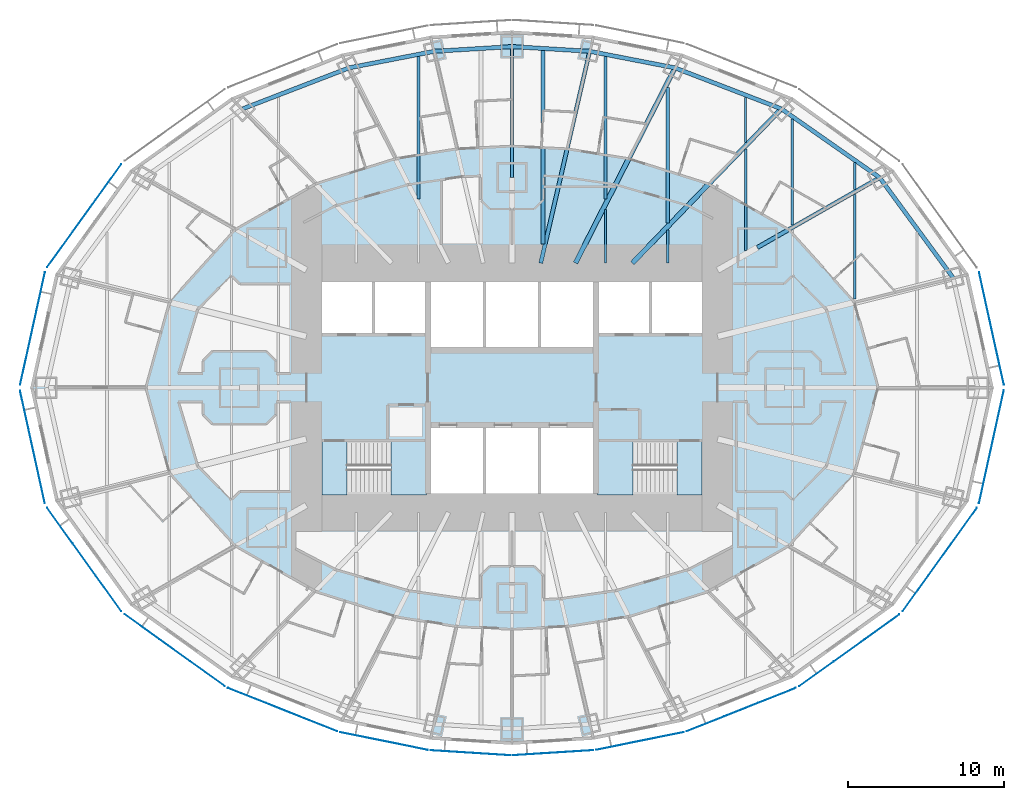
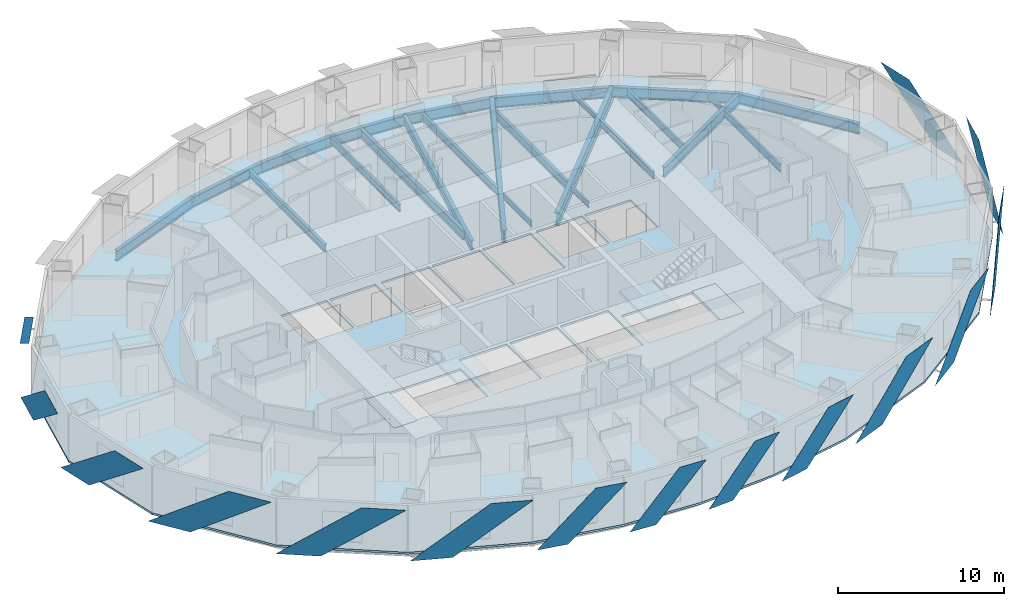
# One storey, part 3 of 17: 24 beams, 15 plates, 5 slabs, 2 elements without a shape of their own.
"""IFC4 building model written with IfcOpenShell, lengths in metres."""

from ifc_helpers import new_model, si_unit, direction, frame, origin, origin_2d, place, context, subcontext, project, spatial, polyline, i_section, outline, extrude, material, layer, layer_set, material_profile, profile_set, type_object, element, aggregate, save


model = new_model("IFC4")

# Units and contexts
model_context = context("Model", 3, precision=1e-05, world=origin(), true_north=direction((0.0, 1.0)))
body_context = subcontext(model_context, "Body", "Model", "MODEL_VIEW")
ifc_project = project(units=[si_unit("LENGTHUNIT", "METRE"), si_unit("AREAUNIT", "SQUARE_METRE"), si_unit("VOLUMEUNIT", "CUBIC_METRE"), si_unit("PLANEANGLEUNIT", "RADIAN"), si_unit("MASSUNIT", "GRAM", prefix="KILO")], contexts=[model_context])

# Site, building, storey
site_placement = place(None, origin())
site = spatial("IfcSite", under=ifc_project, at=site_placement, CompositionType="ELEMENT")
building_placement = place(site_placement, origin())
building = spatial("IfcBuilding", under=site, at=building_placement, Name="Lantaw Convention Tower", CompositionType="ELEMENT")
storey_placement = place(building_placement, frame((0.0, 0.0, 40.60009765625)))
storey = spatial("IfcBuildingStorey", under=building, at=storey_placement, Name="L07", CompositionType="ELEMENT", Elevation=40.60009765625)

# Beams
ifc_material_1 = material(Name="Steel ASTM A992", Category="steel")
ifc_material_profile_1 = material_profile(ifc_material_1, i_section(OverallWidth=0.2666015625, OverallDepth=0.76953125, WebThickness=0.015625, FlangeThickness=0.025390625, FilletRadius=0.0126953125, at=origin_2d()), Name="W30X132")
ifc_profile_set_1 = profile_set([ifc_material_profile_1], Name="Steel ASTM A992")
beam_type_1 = type_object("IfcBeamType", Name="Beam E W30X132", PredefinedType="SPANDREL", material=ifc_profile_set_1)
beam_1_placement = place(storey_placement, frame((28.31787109375, 7.060302734375, -0.534912109375), z_axis=(-0.591270709086, 0.806473154281, 0.0), x_axis=(-0.806473154281, -0.591270709086, 0.0)))
element("IfcBeam", 1, at=beam_1_placement, inside=storey, type_object=beam_type_1, Name="Edge beam 2", PredefinedType="SPANDREL", context=body_context, shape_type="SweptSolid", body=[
    extrude(i_section(OverallWidth=0.2666015625, OverallDepth=0.76953125, WebThickness=0.015625, FlangeThickness=0.025390625, FilletRadius=0.0126953125, at=origin_2d()), origin(), (0.0, 0.0, 1.0), 7.970703125),
])
beam_2_placement = place(storey_placement, frame((23.60498046875, 13.488525390625, -0.534912109375), z_axis=(-0.81942686407, 0.57318375277, 0.0), x_axis=(-0.57318375277, -0.81942686407, 0.0)))
element("IfcBeam", 2, at=beam_2_placement, inside=storey, type_object=beam_type_1, Name="Edge beam 3", PredefinedType="SPANDREL", context=body_context, shape_type="SweptSolid", body=[
    extrude(i_section(OverallWidth=0.2666015625, OverallDepth=0.76953125, WebThickness=0.015625, FlangeThickness=0.025390625, FilletRadius=0.0126953125, at=origin_2d()), origin(), (0.0, 0.0, 1.0), 7.70556640625),
])
beam_3_placement = place(storey_placement, frame((17.290771484375, 17.9052734375, -0.534912109375), z_axis=(-0.933232900641, 0.359271976588, 0.0), x_axis=(-0.359271976588, -0.933232900641, 0.0)))
element("IfcBeam", 3, at=beam_3_placement, inside=storey, type_object=beam_type_1, Name="Edge beam 4", PredefinedType="SPANDREL", context=body_context, shape_type="SweptSolid", body=[
    extrude(i_section(OverallWidth=0.2666015625, OverallDepth=0.76953125, WebThickness=0.015625, FlangeThickness=0.025390625, FilletRadius=0.0126953125, at=origin_2d()), origin(), (0.0, 0.0, 1.0), 7.316650390625),
])
beam_4_placement = place(storey_placement, frame((10.462646484375, 20.533935546875, -0.534912109375), z_axis=(-0.981636565323, 0.190760723474, 0.0), x_axis=(-0.190760723474, -0.981636565323, 0.0)))
element("IfcBeam", 4, at=beam_4_placement, inside=storey, type_object=beam_type_1, Name="Edge beam 5", PredefinedType="SPANDREL", context=body_context, shape_type="SweptSolid", body=[
    extrude(i_section(OverallWidth=0.2666015625, OverallDepth=0.76953125, WebThickness=0.015625, FlangeThickness=0.025390625, FilletRadius=0.0126953125, at=origin_2d()), origin(), (0.0, 0.0, 1.0), 5.578857421875),
])
for number, where, z_axis, x_axis, name in (
    (5, (4.986328125, 21.59814453125, -0.534912109375), (-0.998173858406, 0.060406526096, 0.0), (-0.060406526096, -0.998173858406, 0.0), "Edge beam 6"),
    (6, (0.0, 21.89990234375, -0.534912109375), (-0.998173858406, -0.060406526096, 0.0), (0.060406526096, -0.998173858406, 0.0), "Edge beam 7"),
):
    element("IfcBeam", number, at=place(storey_placement, frame(where, z_axis=z_axis, x_axis=x_axis)), inside=storey, type_object=beam_type_1, Name=name, PredefinedType="SPANDREL", context=body_context, shape_type="SweptSolid", body=[
        extrude(i_section(OverallWidth=0.2666015625, OverallDepth=0.76953125, WebThickness=0.015625, FlangeThickness=0.025390625, FilletRadius=0.0126953125, at=origin_2d()), origin(), (0.0, 0.0, 1.0), 4.995361328125),
    ])
beam_5_placement = place(storey_placement, frame((-4.986328125, 21.59814453125, -0.534912109375), z_axis=(-0.981636565323, -0.190760723474, 0.0), x_axis=(0.190760723474, -0.981636565323, 0.0)))
element("IfcBeam", 7, at=beam_5_placement, inside=storey, type_object=beam_type_1, Name="Edge beam 8", PredefinedType="SPANDREL", context=body_context, shape_type="SweptSolid", body=[
    extrude(i_section(OverallWidth=0.2666015625, OverallDepth=0.76953125, WebThickness=0.015625, FlangeThickness=0.025390625, FilletRadius=0.0126953125, at=origin_2d()), origin(), (0.0, 0.0, 1.0), 5.578857421875),
])
beam_6_placement = place(storey_placement, frame((-10.462646484375, 20.533935546875, -0.534912109375), z_axis=(-0.933232900641, -0.359271976588, 0.0), x_axis=(0.359271976588, -0.933232900641, 0.0)))
element("IfcBeam", 8, at=beam_6_placement, inside=storey, type_object=beam_type_1, Name="Edge beam 9", PredefinedType="SPANDREL", context=body_context, shape_type="SweptSolid", body=[
    extrude(i_section(OverallWidth=0.2666015625, OverallDepth=0.76953125, WebThickness=0.015625, FlangeThickness=0.025390625, FilletRadius=0.0126953125, at=origin_2d()), origin(), (0.0, 0.0, 1.0), 7.316650390625),
])
ifc_material_profile_2 = material_profile(ifc_material_1, i_section(OverallWidth=0.1650390625, OverallDepth=0.52587890625, WebThickness=0.0087890625, FlangeThickness=0.011474609375, FilletRadius=0.0126953125, at=origin_2d()), Name="W21X44")
ifc_profile_set_2 = profile_set([ifc_material_profile_2], Name="Steel ASTM A992")
beam_type_2 = type_object("IfcBeamType", Name="Beam G W21X44", PredefinedType="BEAM", material=ifc_profile_set_2)
beam_7_placement = place(storey_placement, frame((0.0, 13.5, -0.4130859375), z_axis=(0.0, 1.0, 0.0), x_axis=(-1.0, 0.0, 0.0)))
element("IfcBeam", 9, at=beam_7_placement, inside=storey, type_object=beam_type_2, Name="Floor girder on ray 7", PredefinedType="BEAM", context=body_context, shape_type="SweptSolid", body=[
    extrude(i_section(OverallWidth=0.1650390625, OverallDepth=0.52587890625, WebThickness=0.0087890625, FlangeThickness=0.011474609375, FilletRadius=0.0126953125, at=origin_2d()), origin(), (0.0, 0.0, 1.0), 8.39990234375),
])
ifc_material_profile_3 = material_profile(ifc_material_1, i_section(OverallWidth=0.25390625, OverallDepth=0.683349609375, WebThickness=0.012451171875, FlangeThickness=0.01904296875, FilletRadius=0.01513671875, at=origin_2d()), Name="W27X94")
ifc_profile_set_3 = profile_set([ifc_material_profile_3], Name="Steel ASTM A992")
beam_type_3 = type_object("IfcBeamType", Name="Beam G W27X94", PredefinedType="BEAM", material=ifc_profile_set_3)
beam_8_placement = place(storey_placement, frame((1.846923828125, 8.0, -0.49169921875), z_axis=(0.224952773175, 0.97436966796, 0.0), x_axis=(-0.97436966796, 0.224952773175, 0.0)))
element("IfcBeam", 10, at=beam_8_placement, inside=storey, type_object=beam_type_3, Name="Floor girder on ray 6", PredefinedType="BEAM", context=body_context, shape_type="SweptSolid", body=[
    extrude(i_section(OverallWidth=0.25390625, OverallDepth=0.683349609375, WebThickness=0.012451171875, FlangeThickness=0.01904296875, FilletRadius=0.01513671875, at=origin_2d()), origin(), (0.0, 0.0, 1.0), 13.955810546875),
])
ifc_material_profile_4 = material_profile(ifc_material_1, i_section(OverallWidth=0.2666015625, OverallDepth=0.7568359375, WebThickness=0.013916015625, FlangeThickness=0.019287109375, FilletRadius=0.0126953125, at=origin_2d()), Name="W30X108")
ifc_profile_set_4 = profile_set([ifc_material_profile_4], Name="Steel ASTM A992")
beam_type_4 = type_object("IfcBeamType", Name="Beam G W30X108", PredefinedType="BEAM", material=ifc_profile_set_4)
beam_9_placement = place(storey_placement, frame((15.75, 9.0, -0.528564453125), z_axis=(0.868244802791, 0.496136032179, 0.0), x_axis=(-0.496136032179, 0.868244802791, 0.0)))
element("IfcBeam", 11, at=beam_9_placement, inside=storey, type_object=beam_type_4, Name="Floor girder on ray 3", PredefinedType="BEAM", context=body_context, shape_type="SweptSolid", body=[
    extrude(i_section(OverallWidth=0.2666015625, OverallDepth=0.7568359375, WebThickness=0.013916015625, FlangeThickness=0.019287109375, FilletRadius=0.0126953125, at=origin_2d()), origin(), (0.0, 0.0, 1.0), 9.046875),
])
ifc_material_profile_5 = material_profile(ifc_material_1, i_section(OverallWidth=0.307373046875, OverallDepth=0.922119140625, WebThickness=0.018310546875, FlangeThickness=0.030029296875, FilletRadius=0.0126953125, at=origin_2d()), Name="W36X182")
ifc_profile_set_5 = profile_set([ifc_material_profile_5], Name="Steel ASTM A992")
beam_type_5 = type_object("IfcBeamType", Name="Beam G W36X182", PredefinedType="BEAM", material=ifc_profile_set_5)
beam_10_placement = place(storey_placement, frame((7.7255859375, 8.0, -0.611083984375), z_axis=(0.694649884291, 0.719347995239, 0.0), x_axis=(-0.719347995239, 0.694649884291, 0.0)))
element("IfcBeam", 12, at=beam_10_placement, inside=storey, type_object=beam_type_5, Name="Floor girder on ray 4", PredefinedType="BEAM", context=body_context, shape_type="SweptSolid", body=[
    extrude(i_section(OverallWidth=0.307373046875, OverallDepth=0.922119140625, WebThickness=0.018310546875, FlangeThickness=0.030029296875, FilletRadius=0.0126953125, at=origin_2d()), origin(), (0.0, 0.0, 1.0), 13.769775390625),
])
beam_11_placement = place(storey_placement, frame((4.076171875, 8.0, -0.611083984375), z_axis=(0.453997016122, 0.891003203896, 0.0), x_axis=(-0.891003203896, 0.453997016122, 0.0)))
element("IfcBeam", 13, at=beam_11_placement, inside=storey, type_object=beam_type_5, Name="Floor girder on ray 5", PredefinedType="BEAM", context=body_context, shape_type="SweptSolid", body=[
    extrude(i_section(OverallWidth=0.307373046875, OverallDepth=0.922119140625, WebThickness=0.018310546875, FlangeThickness=0.030029296875, FilletRadius=0.0126953125, at=origin_2d()), origin(), (0.0, 0.0, 1.0), 14.067138671875),
])
ifc_material_profile_6 = material_profile(ifc_material_1, i_section(OverallWidth=0.140380859375, OverallDepth=0.40380859375, WebThickness=0.007080078125, FlangeThickness=0.01123046875, FilletRadius=0.01025390625, at=origin_2d()), Name="W16X31")
ifc_profile_set_6 = profile_set([ifc_material_profile_6], Name="Steel ASTM A992")
beam_type_6 = type_object("IfcBeamType", Name="Beam J W16X31", PredefinedType="JOIST", material=ifc_profile_set_6)
beam_12_placement = place(storey_placement, frame((6.0, 8.0, -0.35205078125), z_axis=(0.0, 1.0, 0.0), x_axis=(-1.0, 0.0, 0.0)))
element("IfcBeam", 14, at=beam_12_placement, inside=storey, type_object=beam_type_6, Name="Floor joist", PredefinedType="JOIST", context=body_context, shape_type="SweptSolid", body=[
    extrude(i_section(OverallWidth=0.140380859375, OverallDepth=0.40380859375, WebThickness=0.007080078125, FlangeThickness=0.01123046875, FilletRadius=0.01025390625, at=origin_2d()), origin(), (0.0, 0.0, 1.0), 3.437255859375),
])
beam_13_placement = place(storey_placement, frame((10.0, 8.0, -0.35205078125), z_axis=(0.0, 1.0, 0.0), x_axis=(-1.0, 0.0, 0.0)))
element("IfcBeam", 15, at=beam_13_placement, inside=storey, type_object=beam_type_6, Name="Floor joist", PredefinedType="JOIST", context=body_context, shape_type="SweptSolid", body=[
    extrude(i_section(OverallWidth=0.140380859375, OverallDepth=0.40380859375, WebThickness=0.007080078125, FlangeThickness=0.01123046875, FilletRadius=0.01025390625, at=origin_2d()), origin(), (0.0, 0.0, 1.0), 2.134033203125),
])
beam_14_placement = place(storey_placement, frame((15.0, 15.754150390625, -0.35205078125), z_axis=(0.0, 1.0, 0.0), x_axis=(-1.0, 0.0, 0.0)))
element("IfcBeam", 16, at=beam_14_placement, inside=storey, type_object=beam_type_6, Name="Floor joist", PredefinedType="JOIST", context=body_context, shape_type="SweptSolid", body=[
    extrude(i_section(OverallWidth=0.140380859375, OverallDepth=0.40380859375, WebThickness=0.007080078125, FlangeThickness=0.01123046875, FilletRadius=0.01025390625, at=origin_2d()), origin(), (0.0, 0.0, 1.0), 2.89013671875),
])
beam_15_placement = place(storey_placement, frame((22.0, 12.72509765625, -0.35205078125), z_axis=(0.0, 1.0, 0.0), x_axis=(-1.0, 0.0, 0.0)))
element("IfcBeam", 17, at=beam_15_placement, inside=storey, type_object=beam_type_6, Name="Floor joist", PredefinedType="JOIST", context=body_context, shape_type="SweptSolid", body=[
    extrude(i_section(OverallWidth=0.140380859375, OverallDepth=0.40380859375, WebThickness=0.007080078125, FlangeThickness=0.01123046875, FilletRadius=0.01025390625, at=origin_2d()), origin(), (0.0, 0.0, 1.0), 1.723388671875),
])
ifc_material_profile_7 = material_profile(ifc_material_1, i_section(OverallWidth=0.1650390625, OverallDepth=0.52587890625, WebThickness=0.0087890625, FlangeThickness=0.011474609375, FilletRadius=0.0126953125, at=origin_2d()), Name="W21X44")
ifc_profile_set_7 = profile_set([ifc_material_profile_7], Name="Steel ASTM A992")
beam_type_7 = type_object("IfcBeamType", Name="Beam J W21X44", PredefinedType="JOIST", material=ifc_profile_set_7)
beam_16_placement = place(storey_placement, frame((15.0, 8.803955078125, -0.4130859375), z_axis=(0.0, 1.0, 0.0), x_axis=(-1.0, 0.0, 0.0)))
element("IfcBeam", 18, at=beam_16_placement, inside=storey, type_object=beam_type_7, Name="Floor joist", PredefinedType="JOIST", context=body_context, shape_type="SweptSolid", body=[
    extrude(i_section(OverallWidth=0.1650390625, OverallDepth=0.52587890625, WebThickness=0.0087890625, FlangeThickness=0.011474609375, FilletRadius=0.0126953125, at=origin_2d()), origin(), (0.0, 0.0, 1.0), 6.5078125),
])
beam_17_placement = place(storey_placement, frame((18.0, 10.439208984375, -0.4130859375), z_axis=(0.0, 1.0, 0.0), x_axis=(-1.0, 0.0, 0.0)))
element("IfcBeam", 19, at=beam_17_placement, inside=storey, type_object=beam_type_7, Name="Floor joist", PredefinedType="JOIST", context=body_context, shape_type="SweptSolid", body=[
    extrude(i_section(OverallWidth=0.1650390625, OverallDepth=0.52587890625, WebThickness=0.0087890625, FlangeThickness=0.011474609375, FilletRadius=0.0126953125, at=origin_2d()), origin(), (0.0, 0.0, 1.0), 6.80712890625),
])
beam_18_placement = place(storey_placement, frame((22.0, 5.693359375, -0.4130859375), z_axis=(0.0, 1.0, 0.0), x_axis=(-1.0, 0.0, 0.0)))
element("IfcBeam", 20, at=beam_18_placement, inside=storey, type_object=beam_type_7, Name="Floor joist", PredefinedType="JOIST", context=body_context, shape_type="SweptSolid", body=[
    extrude(i_section(OverallWidth=0.1650390625, OverallDepth=0.52587890625, WebThickness=0.0087890625, FlangeThickness=0.011474609375, FilletRadius=0.0126953125, at=origin_2d()), origin(), (0.0, 0.0, 1.0), 6.724609375),
])
ifc_material_profile_8 = material_profile(ifc_material_1, i_section(OverallWidth=0.2099609375, OverallDepth=0.535888671875, WebThickness=0.010986328125, FlangeThickness=0.017333984375, FilletRadius=0.012939453125, at=origin_2d()), Name="W21X68")
ifc_profile_set_8 = profile_set([ifc_material_profile_8], Name="Steel ASTM A992")
beam_type_8 = type_object("IfcBeamType", Name="Beam J W21X68", PredefinedType="JOIST", material=ifc_profile_set_8)
for number, where, z_axis, x_axis, name in (
    (21, (-6.0, 12.1142578125, -0.41796875), (0.0, 1.0, 0.0), (-1.0, 0.0, 0.0), "Floor joist"),
    (22, (6.0, 12.1142578125, -0.41796875), (0.0, 1.0, 0.0), (-1.0, 0.0, 0.0), "Floor joist"),
):
    element("IfcBeam", number, at=place(storey_placement, frame(where, z_axis=z_axis, x_axis=x_axis)), inside=storey, type_object=beam_type_8, Name=name, PredefinedType="JOIST", context=body_context, shape_type="SweptSolid", body=[
        extrude(i_section(OverallWidth=0.2099609375, OverallDepth=0.535888671875, WebThickness=0.010986328125, FlangeThickness=0.017333984375, FilletRadius=0.012939453125, at=origin_2d()), origin(), (0.0, 0.0, 1.0), 9.15087890625),
    ])
ifc_material_profile_9 = material_profile(ifc_material_1, i_section(OverallWidth=0.227783203125, OverallDepth=0.60205078125, WebThickness=0.010498046875, FlangeThickness=0.014892578125, FilletRadius=0.012939453125, at=origin_2d()), Name="W24X68")
ifc_profile_set_9 = profile_set([ifc_material_profile_9], Name="Steel ASTM A992")
beam_type_9 = type_object("IfcBeamType", Name="Beam J W24X68", PredefinedType="JOIST", material=ifc_profile_set_9)
beam_19_placement = place(storey_placement, frame((10.0, 10.576416015625, -0.451171875), z_axis=(0.0, 1.0, 0.0), x_axis=(-1.0, 0.0, 0.0)))
element("IfcBeam", 23, at=beam_19_placement, inside=storey, type_object=beam_type_9, Name="Floor joist", PredefinedType="JOIST", context=body_context, shape_type="SweptSolid", body=[
    extrude(i_section(OverallWidth=0.227783203125, OverallDepth=0.60205078125, WebThickness=0.010498046875, FlangeThickness=0.014892578125, FilletRadius=0.012939453125, at=origin_2d()), origin(), (0.0, 0.0, 1.0), 8.711181640625),
])
ifc_material_profile_10 = material_profile(ifc_material_1, i_section(OverallWidth=0.25390625, OverallDepth=0.700927734375, WebThickness=0.015380859375, FlangeThickness=0.02783203125, FilletRadius=0.01513671875, at=origin_2d()), Name="W27X129")
ifc_profile_set_10 = profile_set([ifc_material_profile_10], Name="Steel ASTM A992")
beam_type_10 = type_object("IfcBeamType", Name="Beam J W27X129", PredefinedType="JOIST", material=ifc_profile_set_10)
beam_20_placement = place(storey_placement, frame((2.0, 9.2275390625, -0.500732421875), z_axis=(0.0, 1.0, 0.0), x_axis=(-1.0, 0.0, 0.0)))
element("IfcBeam", 24, at=beam_20_placement, inside=storey, type_object=beam_type_10, Name="Floor joist", PredefinedType="JOIST", context=body_context, shape_type="SweptSolid", body=[
    extrude(i_section(OverallWidth=0.25390625, OverallDepth=0.700927734375, WebThickness=0.015380859375, FlangeThickness=0.02783203125, FilletRadius=0.01513671875, at=origin_2d()), origin(), (0.0, 0.0, 1.0), 12.417724609375),
])

# Slab
ifc_material_2 = material(Name="Concrete C35/45", Category="concrete")
ifc_layer_1 = layer(ifc_material_2, 0.14990234375)
ifc_layer_set_1 = layer_set([ifc_layer_1], Name="Floor slab 150")
slab_type_1 = type_object("IfcSlabType", Name="Floor slab 150", PredefinedType="FLOOR", material=ifc_layer_set_1)
slab_1_placement = place(storey_placement, frame((0.0, 0.0, -0.150146484375)))
element("IfcSlab", 25, at=slab_1_placement, inside=storey, type_object=slab_type_1, Name="L07 floor slab", PredefinedType="FLOOR", context=body_context, shape_type="SweptSolid", body=[
    extrude(outline(polyline([(29.315185546875, -7.29541015625), (30.923095703125, 0.0), (29.315185546875, 7.29541015625), (24.50634765625, 13.98046875), (18.018798828125, 18.630126953125), (10.9404296875, 21.44189453125), (5.223876953125, 22.59521484375), (0.0, 22.9248046875), (-5.223876953125, 22.59521484375), (-10.9404296875, 21.44189453125), (-18.018798828125, 18.630126953125), (-24.50634765625, 13.98046875), (-29.315185546875, 7.29541015625), (-30.923095703125, 0.0), (-29.315185546875, -7.29541015625), (-24.50634765625, -13.98046875), (-18.018798828125, -18.630126953125), (-10.9404296875, -21.44189453125), (-5.223876953125, -22.59521484375), (0.0, -22.9248046875), (5.223876953125, -22.59521484375), (10.9404296875, -21.44189453125), (18.018798828125, -18.630126953125), (24.50634765625, -13.98046875), (29.315185546875, -7.29541015625)]), holes=[polyline([(-5.60009765625, -3.5), (-12.199951171875, -3.5), (-12.199951171875, -6.800048828125), (-5.60009765625, -6.800048828125), (-5.60009765625, -3.5)]), polyline([(-1.86669921875, -6.800048828125), (-1.86669921875, -2.60009765625), (-5.199951171875, -2.60009765625), (-5.199951171875, -6.800048828125), (-1.86669921875, -6.800048828125)]), polyline([(-1.86669921875, 2.60009765625), (-1.86669921875, 6.800048828125), (-5.199951171875, 6.800048828125), (-5.199951171875, 2.60009765625), (-1.86669921875, 2.60009765625)]), polyline([(1.666748046875, 6.800048828125), (-1.666748046875, 6.800048828125), (-1.666748046875, 2.60009765625), (1.666748046875, 2.60009765625), (1.666748046875, 6.800048828125)]), polyline([(-9.0, 3.5), (-9.0, 6.800048828125), (-12.199951171875, 6.800048828125), (-12.199951171875, 3.5), (-9.0, 3.5)]), polyline([(-5.60009765625, 3.5), (-5.60009765625, 6.800048828125), (-8.800048828125, 6.800048828125), (-8.800048828125, 3.5), (-5.60009765625, 3.5)]), polyline([(12.199951171875, -3.5), (5.60009765625, -3.5), (5.60009765625, -6.800048828125), (12.199951171875, -6.800048828125), (12.199951171875, -3.5)]), polyline([(1.666748046875, -6.800048828125), (1.666748046875, -2.60009765625), (-1.666748046875, -2.60009765625), (-1.666748046875, -6.800048828125), (1.666748046875, -6.800048828125)]), polyline([(5.199951171875, -6.800048828125), (5.199951171875, -2.60009765625), (1.86669921875, -2.60009765625), (1.86669921875, -6.800048828125), (5.199951171875, -6.800048828125)]), polyline([(5.199951171875, 6.800048828125), (1.86669921875, 6.800048828125), (1.86669921875, 2.60009765625), (5.199951171875, 2.60009765625), (5.199951171875, 6.800048828125)]), polyline([(8.800048828125, 3.5), (8.800048828125, 6.800048828125), (5.60009765625, 6.800048828125), (5.60009765625, 3.5), (8.800048828125, 3.5)]), polyline([(12.199951171875, 3.5), (12.199951171875, 6.800048828125), (9.0, 6.800048828125), (9.0, 3.5), (12.199951171875, 3.5)])]), origin(), (0.0, 0.0, 1.0), 0.150146484375),
])

# Plates
ifc_material_3 = material(Name="Perforated aluminium sheet, pale silver finish", Category="aluminium")
ifc_layer_2 = layer(ifc_material_3, 0.006103515625)
ifc_layer_set_2 = layer_set([ifc_layer_2], Name="Perforated aluminium solar SCREEN panel")
plate_type = type_object("IfcPlateType", Name="Perforated aluminium solar SCREEN panel", PredefinedType="SHEET", material=ifc_layer_set_2)
plate_1_placement = place(storey_placement, frame((31.5810546875, 0.17919921875, -0.175048828125), z_axis=(-0.97655943558, -0.215247921852, 3.0295023e-05), x_axis=(-0.215247921951, 0.976559436028, 3.12e-10)))
element("IfcPlate", 26, at=plate_1_placement, inside=storey, type_object=plate_type, Name="Solar SCREEN panel", PredefinedType="SHEET", context=body_context, shape_type="SweptSolid", body=[
    extrude(outline(polyline([(0.0, 0.0), (2.551002212329069, 3.3881317890172014e-21), (7.402498252985418, -3.739990233781388), (4.851734458487411, -3.7399902353733405), (0.0, 0.0)])), origin(), (0.0, 0.0, -1.0), 0.006103515625),
])
plate_2_placement = place(storey_placement, frame((-25.0810546875, 14.34765625, -0.175048828125), z_axis=(0.811791382613, -0.583947558463, 9.019268e-06), x_axis=(-0.583947558486, -0.811791382646, 0.0)))
element("IfcPlate", 27, at=plate_2_placement, inside=storey, type_object=plate_type, Name="Solar SCREEN panel", PredefinedType="SHEET", context=body_context, shape_type="SweptSolid", body=[
    extrude(outline(polyline([(0.0, 0.0), (2.809541672291133, 0.0), (8.163093158837512, -3.739990234527119), (5.353551486546379, -3.739990234527119), (0.0, 0.0)])), origin(), (0.0, 0.0, -1.0), 0.006103515625),
])
plate_3_placement = place(storey_placement, frame((-29.98779296875, 7.408203125, -0.175048828125), z_axis=(-0.97655943558, 0.215247921852, 3.0295023e-05), x_axis=(-0.215247921951, -0.976559436028, -3.12e-10)))
element("IfcPlate", 28, at=plate_3_placement, inside=storey, type_object=plate_type, Name="Solar SCREEN panel", PredefinedType="SHEET", context=body_context, shape_type="SweptSolid", body=[
    extrude(outline(polyline([(0.0, 0.0), (2.5507637944980077, 6.776263578034403e-21), (7.402498250651261, 3.7399902384013473), (4.851496038322192, 3.739990236809246), (0.0, 0.0)])), origin(), (0.0, 0.0, -1.0), 0.006103515625),
])
plate_4_placement = place(storey_placement, frame((-31.5810546875, -0.17919921875, -0.175048828125), z_axis=(0.97655943558, 0.215247921852, 3.0295023e-05), x_axis=(0.215247921951, -0.976559436028, 3.12e-10)))
element("IfcPlate", 29, at=plate_4_placement, inside=storey, type_object=plate_type, Name="Solar SCREEN panel", PredefinedType="SHEET", context=body_context, shape_type="SweptSolid", body=[
    extrude(outline(polyline([(0.0, 0.0), (2.551002212329069, 3.3881317890172014e-21), (7.402498252985418, -3.739990233781388), (4.851734458487411, -3.7399902353733405), (0.0, 0.0)])), origin(), (0.0, 0.0, -1.0), 0.006103515625),
])
plate_5_placement = place(storey_placement, frame((-29.847900390625, -7.720947265625, -0.175048828125), z_axis=(-0.811791382613, -0.583947558463, 9.019268e-06), x_axis=(0.583947558486, -0.811791382646, 0.0)))
element("IfcPlate", 30, at=plate_5_placement, inside=storey, type_object=plate_type, Name="Solar SCREEN panel", PredefinedType="SHEET", context=body_context, shape_type="SweptSolid", body=[
    extrude(outline(polyline([(0.0, 0.0), (2.809541672291133, 0.0), (8.163093158837512, 3.739990234527119), (5.353551486546379, 3.739990234527119), (0.0, 0.0)])), origin(), (0.0, 0.0, -1.0), 0.006103515625),
])
plate_6_placement = place(storey_placement, frame((-24.872314453125, -14.555908203125, -0.175048828125), z_axis=(-0.582561421998, -0.812786681331, 1.5819417e-05), x_axis=(0.812786681433, -0.582561422071, 0.0)))
element("IfcPlate", 31, at=plate_6_placement, inside=storey, type_object=plate_type, Name="Solar SCREEN panel", PredefinedType="SHEET", context=body_context, shape_type="SweptSolid", body=[
    extrude(outline(polyline([(0.0, 0.0), (2.721095180812288, 3.3881317890172014e-21), (7.903118572410756, 3.739990234842974), (5.182023391598468, 3.739990234842974), (0.0, 0.0)])), origin(), (0.0, 0.0, -1.0), 0.006103515625),
])
plate_7_placement = place(storey_placement, frame((-18.232177734375, -19.278076171875, -0.175048828125), z_axis=(0.369183532846, 0.929356508016, 9.163296e-06), x_axis=(0.929356508055, -0.369183532862, 0.0)))
element("IfcPlate", 32, at=plate_7_placement, inside=storey, type_object=plate_type, Name="Solar SCREEN panel", PredefinedType="SHEET", context=body_context, shape_type="SweptSolid", body=[
    extrude(outline(polyline([(0.0, 0.0), (2.594936467166582, -1.6940658945086007e-21), (7.5321069917580825, -3.739990234532016), (4.937170524591499, -3.739990234532016), (0.0, 0.0)])), origin(), (0.0, 0.0, -1.0), 0.006103515625),
])
plate_8_placement = place(storey_placement, frame((-11.03271484375, -22.117919921875, -0.175048828125), z_axis=(0.197781876197, 0.980246055561, 2.418535e-06), x_axis=(0.980246055563, -0.197781876198, 1.46e-10)))
element("IfcPlate", 33, at=plate_8_placement, inside=storey, type_object=plate_type, Name="Solar SCREEN panel", PredefinedType="SHEET", context=body_context, shape_type="SweptSolid", body=[
    extrude(outline(polyline([(0.0, 0.0), (1.9867801772236329, -3.1763735522036263e-22), (5.743587245978565, -3.7399902335493134), (3.7568553553458006, -3.739990234128105), (0.0, 0.0)])), origin(), (0.0, 0.0, -1.0), 0.006103515625),
])
plate_9_placement = place(storey_placement, frame((-5.221923828125, -23.27783203125, -0.175048828125), z_axis=(0.062923905251, 0.998018327468, 1.3605496e-05), x_axis=(0.998018327561, -0.062923905257, 9.3e-10)))
element("IfcPlate", 34, at=plate_9_placement, inside=storey, type_object=plate_type, Name="Solar SCREEN panel", PredefinedType="SHEET", context=body_context, shape_type="SweptSolid", body=[
    extrude(outline(polyline([(0.0, 0.0), (1.7828375409377817, -2.117582368135751e-22), (5.143985963027618, -3.739990229938699), (3.3611637843713935, -3.7399902332537565), (0.0, 0.0)])), origin(), (0.0, 0.0, -1.0), 0.006103515625),
])
plate_10_placement = place(storey_placement, frame((0.088134765625, -23.6015625, -0.175048828125), z_axis=(0.062923905251, -0.998018327468, 1.3605496e-05), x_axis=(0.998018327561, 0.062923905257, -9.3e-10)))
element("IfcPlate", 35, at=plate_10_placement, inside=storey, type_object=plate_type, Name="Solar SCREEN panel", PredefinedType="SHEET", context=body_context, shape_type="SweptSolid", body=[
    extrude(outline(polyline([(0.0, 0.0), (1.782822178656225, -2.117582368135751e-22), (5.143985956073316, 3.7399902395036517), (3.3611484151355353, 3.7399902361885653), (0.0, 0.0)])), origin(), (0.0, 0.0, -1.0), 0.006103515625),
])
plate_11_placement = place(storey_placement, frame((5.402587890625, -23.25390625, -0.175048828125), z_axis=(0.197781876197, -0.980246055561, 2.418535e-06), x_axis=(0.980246055563, 0.197781876198, -1.46e-10)))
element("IfcPlate", 36, at=plate_11_placement, inside=storey, type_object=plate_type, Name="Solar SCREEN panel", PredefinedType="SHEET", context=body_context, shape_type="SweptSolid", body=[
    extrude(outline(polyline([(0.0, 0.0), (1.9867318906327642, 1.0587911840678754e-22), (5.743587244888999, 3.7399902352225842), (3.7568070676653664, 3.7399902346437783), (0.0, 0.0)])), origin(), (0.0, 0.0, -1.0), 0.006103515625),
])
plate_12_placement = place(storey_placement, frame((11.232177734375, -22.058837890625, -0.175048828125), z_axis=(0.369183532846, -0.929356508016, 9.163296e-06), x_axis=(0.929356508055, 0.369183532862, 0.0)))
element("IfcPlate", 37, at=plate_12_placement, inside=storey, type_object=plate_type, Name="Solar SCREEN panel", PredefinedType="SHEET", context=body_context, shape_type="SweptSolid", body=[
    extrude(outline(polyline([(0.0, 0.0), (2.594936467166582, 1.6940658945086007e-21), (7.5321069917580825, 3.739990234532016), (4.937170524591499, 3.739990234532016), (0.0, 0.0)])), origin(), (0.0, 0.0, -1.0), 0.006103515625),
])
plate_13_placement = place(storey_placement, frame((18.44873046875, -19.159912109375, -0.175048828125), z_axis=(-0.582561421998, 0.812786681331, 1.5819417e-05), x_axis=(0.812786681433, 0.582561422071, 0.0)))
element("IfcPlate", 38, at=plate_13_placement, inside=storey, type_object=plate_type, Name="Solar SCREEN panel", PredefinedType="SHEET", context=body_context, shape_type="SweptSolid", body=[
    extrude(outline(polyline([(0.0, 0.0), (2.721095180812288, -3.3881317890172014e-21), (7.903118572410756, -3.739990234842974), (5.182023391598468, -3.739990234842974), (0.0, 0.0)])), origin(), (0.0, 0.0, -1.0), 0.006103515625),
])
plate_14_placement = place(storey_placement, frame((25.0810546875, -14.34765625, -0.175048828125), z_axis=(-0.811791382613, 0.583947558463, 9.019268e-06), x_axis=(0.583947558486, 0.811791382646, 0.0)))
element("IfcPlate", 39, at=plate_14_placement, inside=storey, type_object=plate_type, Name="Solar SCREEN panel", PredefinedType="SHEET", context=body_context, shape_type="SweptSolid", body=[
    extrude(outline(polyline([(0.0, 0.0), (2.809541672291133, 0.0), (8.163093158837512, -3.739990234527119), (5.353551486546379, -3.739990234527119), (0.0, 0.0)])), origin(), (0.0, 0.0, -1.0), 0.006103515625),
])
plate_15_placement = place(storey_placement, frame((29.98779296875, -7.408203125, -0.175048828125), z_axis=(0.97655943558, -0.215247921852, 3.0295023e-05), x_axis=(0.215247921951, 0.976559436028, -3.12e-10)))
element("IfcPlate", 40, at=plate_15_placement, inside=storey, type_object=plate_type, Name="Solar SCREEN panel", PredefinedType="SHEET", context=body_context, shape_type="SweptSolid", body=[
    extrude(outline(polyline([(0.0, 0.0), (2.5507637944980077, 6.776263578034403e-21), (7.402498250651261, 3.7399902384013473), (4.851496038322192, 3.739990236809246), (0.0, 0.0)])), origin(), (0.0, 0.0, -1.0), 0.006103515625),
])

# Stair, slabs
stair_type = type_object("IfcStairType", Name="Exit stair 1500 riser 163.64 in 2 flights", PredefinedType="HALF_TURN_STAIR", material=ifc_material_2)
stair_1_placement = place(storey_placement, origin())
stair_1 = element("IfcStair", 41, at=stair_1_placement, inside=storey, type_object=stair_type, Name="Exit stair S1 L07", PredefinedType="HALF_TURN_STAIR")
ifc_layer_3 = layer(ifc_material_2, 0.199951171875)
ifc_layer_set_3 = layer_set([ifc_layer_3], Name="Stair landing 200")
slab_type_2 = type_object("IfcSlabType", Name="Stair landing 200", PredefinedType="LANDING", material=ifc_layer_set_3)
slab_2_placement = place(storey_placement, frame((0.0, 0.0, -0.2001953125)))
slab_2 = element("IfcSlab", 42, at=slab_2_placement, type_object=slab_type_2, Name="S1 landing 1", PredefinedType="LANDING", context=body_context, shape_type="SweptSolid", body=[
    extrude(outline(polyline([(-12.199951171875, -6.89990234375), (-10.580078125, -6.89990234375), (-10.580078125, -3.39990234375), (-12.199951171875, -3.39990234375), (-12.199951171875, -6.89990234375)])), origin(), (0.0, 0.0, 1.0), 0.2001953125),
])
slab_3_placement = place(storey_placement, frame((0.0, 0.0, 1.599853515625)))
slab_3 = element("IfcSlab", 43, at=slab_3_placement, type_object=slab_type_2, Name="S1 landing 2", PredefinedType="LANDING", context=body_context, shape_type="SweptSolid", body=[
    extrude(outline(polyline([(-7.780029296875, -6.89990234375), (-5.5, -6.89990234375), (-5.5, -3.39990234375), (-7.780029296875, -3.39990234375), (-7.780029296875, -6.89990234375)])), origin(), (0.0, 0.0, 1.0), 0.199951171875),
])
aggregate(stair_1, [slab_2, slab_3])

stair_2_placement = place(storey_placement, origin())
stair_2 = element("IfcStair", 44, at=stair_2_placement, inside=storey, type_object=stair_type, Name="Exit stair S2 L07", PredefinedType="HALF_TURN_STAIR")
slab_4_placement = place(storey_placement, frame((0.0, 0.0, -0.2001953125)))
slab_4 = element("IfcSlab", 45, at=slab_4_placement, type_object=slab_type_2, Name="S2 landing 1", PredefinedType="LANDING", context=body_context, shape_type="SweptSolid", body=[
    extrude(outline(polyline([(10.580078125, -6.89990234375), (12.199951171875, -6.89990234375), (12.199951171875, -3.39990234375), (10.580078125, -3.39990234375), (10.580078125, -6.89990234375)])), origin(), (0.0, 0.0, 1.0), 0.2001953125),
])
slab_5_placement = place(storey_placement, frame((0.0, 0.0, 1.599853515625)))
slab_5 = element("IfcSlab", 46, at=slab_5_placement, type_object=slab_type_2, Name="S2 landing 2", PredefinedType="LANDING", context=body_context, shape_type="SweptSolid", body=[
    extrude(outline(polyline([(5.5, -6.89990234375), (7.780029296875, -6.89990234375), (7.780029296875, -3.39990234375), (5.5, -3.39990234375), (5.5, -6.89990234375)])), origin(), (0.0, 0.0, 1.0), 0.199951171875),
])
aggregate(stair_2, [slab_4, slab_5])

save(model, "model.ifc")
